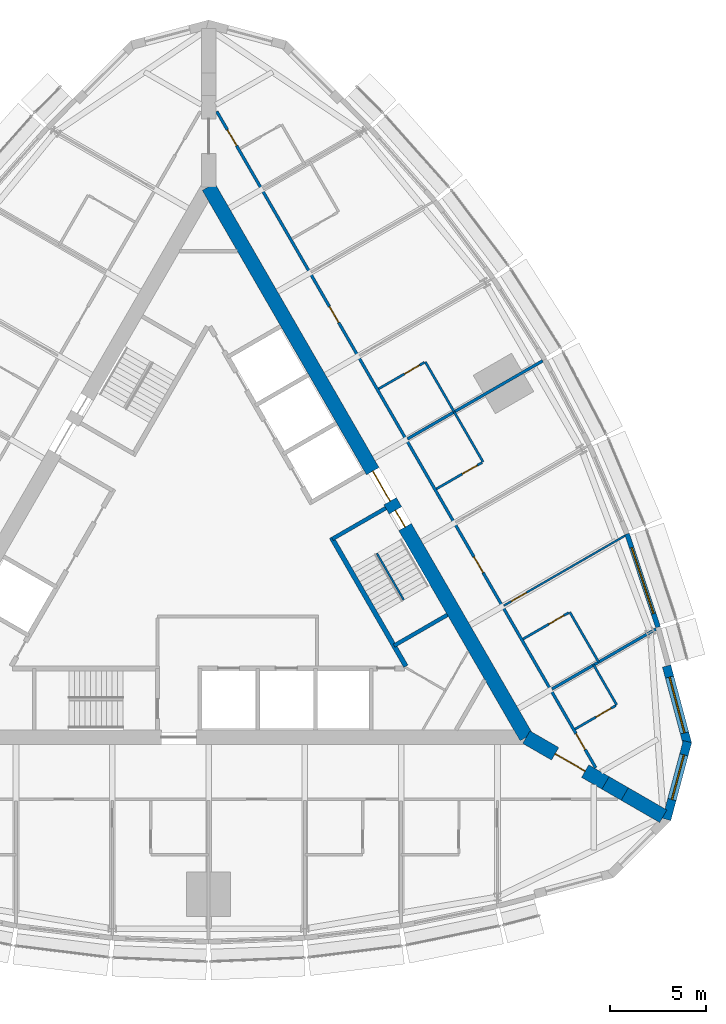
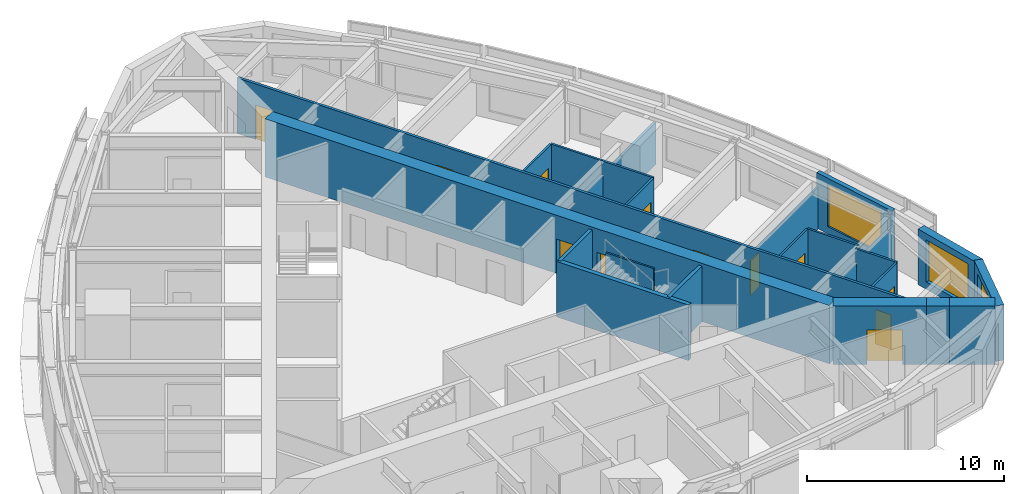
# One storey, part 12 of 15: 23 walls, 12 doors, 3 windows, 15 openings.
"""IFC4 building model written with IfcOpenShell, lengths in metres."""

from ifc_helpers import new_model, si_unit, direction, frame, frame_2d, origin, place, context, subcontext, project, spatial, polyline, rectangle, outline, extrude, material, layer, layer_set, type_object, element, fill, save


model = new_model("IFC4")

# Units and contexts
model_context = context("Model", 3, precision=1e-05, world=origin(), true_north=direction((0.0, 1.0)))
body_context = subcontext(model_context, "Body", "Model", "MODEL_VIEW")
ifc_project = project(units=[si_unit("LENGTHUNIT", "METRE"), si_unit("AREAUNIT", "SQUARE_METRE"), si_unit("VOLUMEUNIT", "CUBIC_METRE"), si_unit("PLANEANGLEUNIT", "RADIAN"), si_unit("MASSUNIT", "GRAM", prefix="KILO")], contexts=[model_context])

# Site, building, storey
site_placement = place(None, origin())
site = spatial("IfcSite", under=ifc_project, at=site_placement, CompositionType="ELEMENT")
building_placement = place(site_placement, origin())
building = spatial("IfcBuilding", under=site, at=building_placement, Name="Trikona Tower", CompositionType="ELEMENT")
storey_placement = place(building_placement, frame((0.0, 0.0, 222.5)))
storey = spatial("IfcBuildingStorey", under=building, at=storey_placement, Name="L59", CompositionType="ELEMENT", Elevation=222.5)

# Wall
ifc_material_1 = material(Name="Metal stud and cement board", Category="gypsum")
ifc_layer_1 = layer(ifc_material_1, 0.1201171875)
ifc_layer_set_1 = layer_set([ifc_layer_1], Name="Bathroom wall 120")
wall_type_1 = type_object("IfcWallType", Name="Bathroom wall 120", PredefinedType="PLUMBINGWALL", material=ifc_layer_set_1)
wall_1_placement = place(storey_placement, frame((21.193603515625, -7.855712890625, 0.0), z_axis=(0.0, 0.0, 1.0), x_axis=(-0.500033551112, 0.866006032174, 0.0)))
element("IfcWall", 1, at=wall_1_placement, inside=storey, type_object=wall_type_1, Name="Bathroom wall 5905", PredefinedType="PLUMBINGWALL", context=body_context, shape_type="SweptSolid", body=[
    extrude(rectangle(XDim=2.400146484375, YDim=0.1201171875, at=frame_2d((1.2001953125, 0.0))), origin(), (0.0, 0.0, 1.0), 3.43505859375),
])

# Wall, opening, door
wall_2_placement = place(storey_placement, frame((19.028564453125, -9.105712890625, 0.0), z_axis=(0.0, 0.0, 1.0), x_axis=(0.866023955769, 0.500002508028, 0.0)))
wall_2 = element("IfcWall", 2, at=wall_2_placement, inside=storey, type_object=wall_type_1, Name="Bathroom wall 5905", PredefinedType="PLUMBINGWALL", context=body_context, shape_type="SweptSolid", body=[
    extrude(rectangle(XDim=2.43994140625, YDim=0.1201171875, at=frame_2d((1.219970703125, 0.0))), origin(), (0.0, 0.0, 1.0), 3.43505859375),
])
opening_1_placement = place(wall_2_placement, frame((1.25, 0.0, 0.0)))
opening_1 = element("IfcOpeningElement", 3, at=opening_1_placement, cuts=wall_2, Name="Opening D2", PredefinedType="OPENING", context=body_context, shape_type="SweptSolid", body=[
    extrude(rectangle(XDim=0.89990234375, YDim=2.1298828125, at=frame_2d((0.449951171875, 1.06494140625))), frame((0.0, 0.070068359375, 0.0), z_axis=(0.0, -1.0, 0.0), x_axis=(1.0, 0.0, 0.0)), (0.0, 0.0, 1.0), 0.14013671875),
])
ifc_material_2 = material(Name="Steel door frame with solid-core timber leaf", Category="steel")
door_type_1 = type_object("IfcDoorType", Name="Bathroom door 900x2130", OperationType="SLIDING_TO_LEFT", PredefinedType="DOOR", material=ifc_material_2)
door_1_placement = place(opening_1_placement, origin())
door_1 = element("IfcDoor", 4, at=door_1_placement, inside=storey, type_object=door_type_1, Name="Bathroom door 5905", OperationType="SLIDING_TO_LEFT", OverallHeight=2.1298828125, OverallWidth=0.89990234375, PredefinedType="DOOR", context=body_context, shape_type="SweptSolid", body=[
    extrude(rectangle(XDim=0.89990234375, YDim=2.1298828125, at=frame_2d((0.449951171875, 1.06494140625))), frame((0.0, 0.02490234375, 0.0), z_axis=(0.0, -1.0, 0.0), x_axis=(1.0, 0.0, 0.0)), (0.0, 0.0, 1.0), 0.050048828125),
])
fill(opening_1, door_1)

# Wall
wall_3_placement = place(storey_placement, frame((20.25341796875, -5.627197265625, 0.0), z_axis=(0.0, 0.0, 1.0), x_axis=(-0.50002537861, 0.866010750942, 0.0)))
element("IfcWall", 5, at=wall_3_placement, inside=storey, type_object=wall_type_1, Name="Bathroom wall 5906.1", PredefinedType="PLUMBINGWALL", context=body_context, shape_type="SweptSolid", body=[
    extrude(rectangle(XDim=2.999755859375, YDim=0.1201171875, at=frame_2d((1.5, 0.0))), origin(), (0.0, 0.0, 1.0), 3.43505859375),
])

# Wall, opening, door
wall_4_placement = place(storey_placement, frame((16.32861328125, -4.42919921875, 0.0), z_axis=(0.0, 0.0, 1.0), x_axis=(0.865997131366, 0.500048966069, 0.0)))
wall_4 = element("IfcWall", 6, at=wall_4_placement, inside=storey, type_object=wall_type_1, Name="Bathroom wall 5906.1", PredefinedType="PLUMBINGWALL", context=body_context, shape_type="SweptSolid", body=[
    extrude(rectangle(XDim=2.739990234375, YDim=0.1201171875, at=frame_2d((1.3701171875, 0.0))), origin(), (0.0, 0.0, 1.0), 3.43505859375),
])
opening_2_placement = place(wall_4_placement, frame((1.550048828125, 0.0, 0.0)))
opening_2 = element("IfcOpeningElement", 7, at=opening_2_placement, cuts=wall_4, Name="Opening D2", PredefinedType="OPENING", context=body_context, shape_type="SweptSolid", body=[
    extrude(rectangle(XDim=0.89990234375, YDim=2.1298828125, at=frame_2d((0.449951171875, 1.06494140625))), frame((0.0, 0.070068359375, 0.0), z_axis=(0.0, -1.0, 0.0), x_axis=(1.0, 0.0, 0.0)), (0.0, 0.0, 1.0), 0.14013671875),
])
door_2_placement = place(opening_2_placement, origin())
door_2 = element("IfcDoor", 8, at=door_2_placement, inside=storey, type_object=door_type_1, Name="Bathroom door 5906.1", OperationType="SLIDING_TO_LEFT", OverallHeight=2.1298828125, OverallWidth=0.89990234375, PredefinedType="DOOR", context=body_context, shape_type="SweptSolid", body=[
    extrude(rectangle(XDim=0.89990234375, YDim=2.1298828125, at=frame_2d((0.449951171875, 1.06494140625))), frame((0.0, 0.02490234375, 0.0), z_axis=(0.0, -1.0, 0.0), x_axis=(1.0, 0.0, 0.0)), (0.0, 0.0, 1.0), 0.050048828125),
])
fill(opening_2, door_2)

# Wall
wall_5_placement = place(storey_placement, frame((14.25341796875, 4.76513671875, 0.0), z_axis=(0.0, 0.0, 1.0), x_axis=(-0.50002537861, 0.866010750942, 0.0)))
element("IfcWall", 9, at=wall_5_placement, inside=storey, type_object=wall_type_1, Name="Bathroom wall 5906.2", PredefinedType="PLUMBINGWALL", context=body_context, shape_type="SweptSolid", body=[
    extrude(rectangle(XDim=2.999755859375, YDim=0.1201171875, at=frame_2d((1.5, 0.0))), origin(), (0.0, 0.0, 1.0), 3.43505859375),
])

# Wall, opening, door
wall_6_placement = place(storey_placement, frame((11.82861328125, 3.364990234375, 0.0), z_axis=(0.0, 0.0, 1.0), x_axis=(0.865997131366, 0.500048966069, 0.0)))
wall_6 = element("IfcWall", 10, at=wall_6_placement, inside=storey, type_object=wall_type_1, Name="Bathroom wall 5906.2", PredefinedType="PLUMBINGWALL", context=body_context, shape_type="SweptSolid", body=[
    extrude(rectangle(XDim=2.739990234375, YDim=0.1201171875, at=frame_2d((1.3701171875, 0.0))), origin(), (0.0, 0.0, 1.0), 3.43505859375),
])
opening_3_placement = place(wall_6_placement, frame((1.550048828125, 0.0, 0.0)))
opening_3 = element("IfcOpeningElement", 11, at=opening_3_placement, cuts=wall_6, Name="Opening D2", PredefinedType="OPENING", context=body_context, shape_type="SweptSolid", body=[
    extrude(rectangle(XDim=0.89990234375, YDim=2.1298828125, at=frame_2d((0.449951171875, 1.06494140625))), frame((0.0, 0.070068359375, 0.0), z_axis=(0.0, -1.0, 0.0), x_axis=(1.0, 0.0, 0.0)), (0.0, 0.0, 1.0), 0.14013671875),
])
door_3_placement = place(opening_3_placement, origin())
door_3 = element("IfcDoor", 12, at=door_3_placement, inside=storey, type_object=door_type_1, Name="Bathroom door 5906.2", OperationType="SLIDING_TO_LEFT", OverallHeight=2.1298828125, OverallWidth=0.89990234375, PredefinedType="DOOR", context=body_context, shape_type="SweptSolid", body=[
    extrude(rectangle(XDim=0.89990234375, YDim=2.1298828125, at=frame_2d((0.449951171875, 1.06494140625))), frame((0.0, 0.02490234375, 0.0), z_axis=(0.0, -1.0, 0.0), x_axis=(1.0, 0.0, 0.0)), (0.0, 0.0, 1.0), 0.050048828125),
])
fill(opening_3, door_3)

# Wall
wall_7_placement = place(storey_placement, frame((12.75341796875, 7.363037109375, 0.0), z_axis=(0.0, 0.0, 1.0), x_axis=(-0.499990139034, 0.866031096941, 0.0)))
element("IfcWall", 13, at=wall_7_placement, inside=storey, type_object=wall_type_1, Name="Bathroom wall 5907.1", PredefinedType="PLUMBINGWALL", context=body_context, shape_type="SweptSolid", body=[
    extrude(rectangle(XDim=3.0, YDim=0.1201171875, at=frame_2d((1.5, 0.0))), origin(), (0.0, 0.0, 1.0), 3.43505859375),
])

# Wall, opening, door
wall_8_placement = place(storey_placement, frame((8.82861328125, 8.561279296875, 0.0), z_axis=(0.0, 0.0, 1.0), x_axis=(0.866035715982, 0.499982138324, 0.0)))
wall_8 = element("IfcWall", 14, at=wall_8_placement, inside=storey, type_object=wall_type_1, Name="Bathroom wall 5907.1", PredefinedType="PLUMBINGWALL", context=body_context, shape_type="SweptSolid", body=[
    extrude(rectangle(XDim=2.73974609375, YDim=0.1201171875, at=frame_2d((1.369873046875, 0.0))), origin(), (0.0, 0.0, 1.0), 3.43505859375),
])
opening_4_placement = place(wall_8_placement, frame((1.550048828125, 0.0, 0.0)))
opening_4 = element("IfcOpeningElement", 15, at=opening_4_placement, cuts=wall_8, Name="Opening D2", PredefinedType="OPENING", context=body_context, shape_type="SweptSolid", body=[
    extrude(rectangle(XDim=0.89990234375, YDim=2.1298828125, at=frame_2d((0.449951171875, 1.06494140625))), frame((0.0, 0.070068359375, 0.0), z_axis=(0.0, -1.0, 0.0), x_axis=(1.0, 0.0, 0.0)), (0.0, 0.0, 1.0), 0.14013671875),
])
door_4_placement = place(opening_4_placement, origin())
door_4 = element("IfcDoor", 16, at=door_4_placement, inside=storey, type_object=door_type_1, Name="Bathroom door 5907.1", OperationType="SLIDING_TO_LEFT", OverallHeight=2.1298828125, OverallWidth=0.89990234375, PredefinedType="DOOR", context=body_context, shape_type="SweptSolid", body=[
    extrude(rectangle(XDim=0.89990234375, YDim=2.1298828125, at=frame_2d((0.449951171875, 1.06494140625))), frame((0.0, 0.02490234375, 0.0), z_axis=(0.0, -1.0, 0.0), x_axis=(1.0, 0.0, 0.0)), (0.0, 0.0, 1.0), 0.050048828125),
])
fill(opening_4, door_4)

# Wall, opening, window
ifc_material_3 = material(Name="Brick-faced precast concrete", Category="masonry")
ifc_layer_2 = layer(ifc_material_3, 0.449951171875)
ifc_layer_set_2 = layer_set([ifc_layer_2], Name="Brick-faced corner wall 450")
wall_type_2 = type_object("IfcWallType", Name="Brick-faced corner wall 450", PredefinedType="SOLIDWALL", material=ifc_layer_set_2)
wall_9_placement = place(storey_placement, frame((23.78271484375, -13.798095703125, 0.0), z_axis=(0.0, 0.0, 1.0), x_axis=(0.258799282522, 0.96593112144, 0.0)))
wall_9 = element("IfcWall", 17, at=wall_9_placement, inside=storey, type_object=wall_type_2, Name="External wall L59-10", PredefinedType="SOLIDWALL", context=body_context, shape_type="SweptSolid", body=[
    extrude(outline(polyline([(4.183837890625, 0.22509765625), (0.5087890625, 0.22509765625), (0.478759765625, 0.112548828125), (0.059326171875, 0.22509765625), (0.0, 0.22509765625), (0.0, -0.22509765625), (4.183837890625, -0.22509765625), (4.183837890625, 0.22509765625)])), origin(), (0.0, 0.0, 1.0), 3.43505859375),
])
opening_5_placement = place(wall_9_placement, frame((1.0712890625, 0.0, 0.449951171875)))
opening_5 = element("IfcOpeningElement", 18, at=opening_5_placement, cuts=wall_9, Name="Opening W2426", PredefinedType="OPENING", context=body_context, shape_type="SweptSolid", body=[
    extrude(rectangle(XDim=2.39990234375, YDim=2.60009765625, at=frame_2d((1.199951171875, 1.300048828125))), frame((0.0, 0.23486328125, 0.0), z_axis=(0.0, -1.0, 0.0), x_axis=(1.0, 0.0, 0.0)), (0.0, 0.0, 1.0), 0.469970703125),
])
ifc_material_4 = material(Name="Aluminium-framed double glazing", Category="aluminium")
window_type_1 = type_object("IfcWindowType", Name="Window 2400x2600", PartitioningType="SINGLE_PANEL", PredefinedType="WINDOW", material=ifc_material_4)
window_1_placement = place(opening_5_placement, origin())
window_1 = element("IfcWindow", 19, at=window_1_placement, inside=storey, type_object=window_type_1, Name="Window 5905", OverallHeight=2.60009765625, OverallWidth=2.39990234375, PartitioningType="SINGLE_PANEL", PredefinedType="WINDOW", context=body_context, shape_type="SweptSolid", body=[
    extrude(rectangle(XDim=2.39990234375, YDim=2.60009765625, at=frame_2d((1.199951171875, 1.300048828125))), frame((0.0, 0.030029296875, 0.0), z_axis=(0.0, -1.0, 0.0), x_axis=(1.0, 0.0, 0.0)), (0.0, 0.0, 1.0), 0.06005859375),
])
fill(opening_5, window_1)

wall_10_placement = place(storey_placement, frame((24.865478515625, -9.873291015625, 0.0), z_axis=(0.0, 0.0, 1.0), x_axis=(-0.258784695888, 0.965935029479, 0.0)))
wall_10 = element("IfcWall", 20, at=wall_10_placement, inside=storey, type_object=wall_type_2, Name="External wall L59-11", PredefinedType="SOLIDWALL", context=body_context, shape_type="SweptSolid", body=[
    extrude(rectangle(XDim=4.18408203125, YDim=0.449951171875, at=frame_2d((2.092041015625, 0.0))), origin(), (0.0, 0.0, 1.0), 3.43505859375),
])
opening_6_placement = place(wall_10_placement, frame((0.592041015625, 0.0, 0.449951171875)))
opening_6 = element("IfcOpeningElement", 21, at=opening_6_placement, cuts=wall_10, Name="Opening W3026", PredefinedType="OPENING", context=body_context, shape_type="SweptSolid", body=[
    extrude(rectangle(XDim=3.0, YDim=2.60009765625, at=frame_2d((1.5, 1.300048828125))), frame((0.0, 0.23486328125, 0.0), z_axis=(0.0, -1.0, 0.0), x_axis=(1.0, 0.0, 0.0)), (0.0, 0.0, 1.0), 0.469970703125),
])
ifc_material_5 = material(Name="Aluminium-framed double glazing", Category="aluminium")
window_type_2 = type_object("IfcWindowType", Name="Window 3000x2600", PartitioningType="SINGLE_PANEL", PredefinedType="WINDOW", material=ifc_material_5)
window_2_placement = place(opening_6_placement, origin())
window_2 = element("IfcWindow", 22, at=window_2_placement, inside=storey, type_object=window_type_2, Name="Window 5905", OverallHeight=2.60009765625, OverallWidth=3.0, PartitioningType="SINGLE_PANEL", PredefinedType="WINDOW", context=body_context, shape_type="SweptSolid", body=[
    extrude(rectangle(XDim=3.0, YDim=2.60009765625, at=frame_2d((1.5, 1.300048828125))), frame((0.0, 0.030029296875, 0.0), z_axis=(0.0, -1.0, 0.0), x_axis=(1.0, 0.0, 0.0)), (0.0, 0.0, 1.0), 0.06005859375),
])
fill(opening_6, window_2)

# Wall, opening, door
ifc_material_6 = material(Name="Concrete f'c 10000 psi", Category="concrete")
ifc_layer_3 = layer(ifc_material_6, 0.75)
ifc_layer_set_3 = layer_set([ifc_layer_3], Name="Buttress wall 750")
wall_type_3 = type_object("IfcWallType", Name="Buttress wall 750", PredefinedType="SHEAR", material=ifc_layer_set_3)
wall_11_placement = place(storey_placement, frame((16.5, -9.5263671875, 0.0), z_axis=(0.0, 0.0, 1.0), x_axis=(0.866031398331, -0.499989616998, 0.0)))
wall_11 = element("IfcWall", 23, at=wall_11_placement, inside=storey, type_object=wall_type_3, Name="Buttress wall 1", PredefinedType="SHEAR", context=body_context, shape_type="SweptSolid", body=[
    extrude(rectangle(XDim=4.74609375, YDim=0.75, at=frame_2d((2.373046875, 0.0))), origin(), (0.0, 0.0, 1.0), 3.60009765625),
])
opening_7_placement = place(wall_11_placement, frame((1.72509765625, 0.0, 0.0)))
opening_7 = element("IfcOpeningElement", 24, at=opening_7_placement, cuts=wall_11, Name="Opening D10", PredefinedType="OPENING", context=body_context, shape_type="SweptSolid", body=[
    extrude(rectangle(XDim=1.800048828125, YDim=2.1298828125, at=frame_2d((0.89990234375, 1.06494140625))), frame((0.0, 0.385009765625, 0.0), z_axis=(0.0, -1.0, 0.0), x_axis=(1.0, 0.0, 0.0)), (0.0, 0.0, 1.0), 0.77001953125),
])
ifc_material_7 = material(Name="Hollow metal door and frame", Category="steel")
door_type_2 = type_object("IfcDoorType", Name="Cross-corridor door pair 1800x2130", OperationType="DOUBLE_DOOR_DOUBLE_SWING", PredefinedType="DOOR", material=ifc_material_7)
door_5_placement = place(opening_7_placement, origin())
door_5 = element("IfcDoor", 25, at=door_5_placement, inside=storey, type_object=door_type_2, Name="Cross-corridor door 1", OperationType="DOUBLE_DOOR_DOUBLE_SWING", OverallHeight=2.1298828125, OverallWidth=1.800048828125, PredefinedType="DOOR", context=body_context, shape_type="SweptSolid", body=[
    extrude(rectangle(XDim=1.800048828125, YDim=2.1298828125, at=frame_2d((0.89990234375, 1.06494140625))), frame((0.0, 0.02490234375, 0.0), z_axis=(0.0, -1.0, 0.0), x_axis=(1.0, 0.0, 0.0)), (0.0, 0.0, 1.0), 0.050048828125),
])
fill(opening_7, door_5)

# Walls
wall_12_placement = place(storey_placement, frame((20.6103515625, -11.8994140625, 0.0), z_axis=(0.0, 0.0, 1.0), x_axis=(0.866009537788, -0.500027479704, 0.0)))
element("IfcWall", 26, at=wall_12_placement, inside=storey, type_object=wall_type_3, Name="Buttress wall 1 part 2", PredefinedType="SHEAR", context=body_context, shape_type="SweptSolid", body=[
    extrude(rectangle(XDim=1.15478515625, YDim=0.75, at=frame_2d((0.577392578125, 0.0))), origin(), (0.0, 0.0, 1.0), 3.60009765625),
])
wall_13_placement = place(storey_placement, frame((21.6103515625, -12.476806640625, 0.0), z_axis=(0.0, 0.0, 1.0), x_axis=(0.866055313784, -0.499948190782, 0.0)))
element("IfcWall", 27, at=wall_13_placement, inside=storey, type_object=wall_type_3, Name="Buttress wall 1 part 3", PredefinedType="SHEAR", context=body_context, shape_type="SweptSolid", body=[
    extrude(rectangle(XDim=2.309326171875, YDim=0.75, at=frame_2d((1.15478515625, 0.0))), origin(), (0.0, 0.0, 1.0), 3.60009765625),
])

# Wall, openings, doors
ifc_material_8 = material(Name="Concrete f'c 10000 psi", Category="concrete")
ifc_layer_4 = layer(ifc_material_8, 0.75)
ifc_layer_set_4 = layer_set([ifc_layer_4], Name="Core wall 750")
wall_type_4 = type_object("IfcWallType", Name="Core wall 750", PredefinedType="SHEAR", material=ifc_layer_set_4)
wall_14_placement = place(storey_placement, frame((16.5, -9.5263671875, 0.0), z_axis=(0.0, 0.0, 1.0), x_axis=(-0.499999749417, 0.866025548458, 0.0)))
wall_14 = element("IfcWall", 28, at=wall_14_placement, inside=storey, type_object=wall_type_4, Name="Core wall B", PredefinedType="SHEAR", context=body_context, shape_type="SweptSolid", body=[
    extrude(rectangle(XDim=33.0, YDim=0.75, at=frame_2d((16.5, 0.0))), origin(), (0.0, 0.0, 1.0), 3.60009765625),
])
opening_8_placement = place(wall_14_placement, frame((14.14990234375, 0.0, 0.0)))
opening_8 = element("IfcOpeningElement", 29, at=opening_8_placement, cuts=wall_14, Name="Opening D6", PredefinedType="OPENING", context=body_context, shape_type="SweptSolid", body=[
    extrude(rectangle(XDim=1.800048828125, YDim=2.1298828125, at=frame_2d((0.89990234375, 1.06494140625))), frame((0.0, 0.385009765625, 0.0), z_axis=(0.0, -1.0, 0.0), x_axis=(1.0, 0.0, 0.0)), (0.0, 0.0, 1.0), 0.77001953125),
])
opening_9_placement = place(wall_14_placement, frame((12.60009765625, 0.0, 0.0)))
opening_9 = element("IfcOpeningElement", 30, at=opening_9_placement, cuts=wall_14, Name="Opening D5", PredefinedType="OPENING", context=body_context, shape_type="SweptSolid", body=[
    extrude(rectangle(XDim=1.0, YDim=2.1298828125, at=frame_2d((0.5, 1.06494140625))), frame((0.0, 0.385009765625, 0.0), z_axis=(0.0, -1.0, 0.0), x_axis=(1.0, 0.0, 0.0)), (0.0, 0.0, 1.0), 0.77001953125),
])
ifc_material_9 = material(Name="Hollow metal door and frame", Category="steel")
door_type_3 = type_object("IfcDoorType", Name="Lobby door pair 1800x2130", OperationType="DOUBLE_DOOR_SINGLE_SWING", PredefinedType="DOOR", material=ifc_material_9)
door_6_placement = place(opening_8_placement, origin())
door_6 = element("IfcDoor", 31, at=door_6_placement, inside=storey, type_object=door_type_3, Name="Lift lobby door B", OperationType="DOUBLE_DOOR_SINGLE_SWING", OverallHeight=2.1298828125, OverallWidth=1.800048828125, PredefinedType="DOOR", context=body_context, shape_type="SweptSolid", body=[
    extrude(rectangle(XDim=1.800048828125, YDim=2.1298828125, at=frame_2d((0.89990234375, 1.06494140625))), frame((0.0, 0.02490234375, 0.0), z_axis=(0.0, -1.0, 0.0), x_axis=(1.0, 0.0, 0.0)), (0.0, 0.0, 1.0), 0.050048828125),
])
fill(opening_8, door_6)
ifc_material_10 = material(Name="Hollow metal door and frame", Category="steel")
door_type_4 = type_object("IfcDoorType", Name="Stair door 1000x2130", OperationType="SINGLE_SWING_LEFT", PredefinedType="DOOR", material=ifc_material_10)
door_7_placement = place(opening_9_placement, origin())
door_7 = element("IfcDoor", 32, at=door_7_placement, inside=storey, type_object=door_type_4, Name="Stair B door", OperationType="SINGLE_SWING_RIGHT", OverallHeight=2.1298828125, OverallWidth=1.0, PredefinedType="DOOR", context=body_context, shape_type="SweptSolid", body=[
    extrude(rectangle(XDim=1.0, YDim=2.1298828125, at=frame_2d((0.5, 1.06494140625))), frame((0.0, 0.02490234375, 0.0), z_axis=(0.0, -1.0, 0.0), x_axis=(1.0, 0.0, 0.0)), (0.0, 0.0, 1.0), 0.050048828125),
])
fill(opening_9, door_7)

ifc_material_11 = material(Name="Metal stud and gypsum board, 1-hour", Category="gypsum")
ifc_layer_5 = layer(ifc_material_11, 0.14990234375)
ifc_layer_set_5 = layer_set([ifc_layer_5], Name="Corridor wall 150")
wall_type_5 = type_object("IfcWallType", Name="Corridor wall 150", PredefinedType="PARTITIONING", material=ifc_layer_set_5)
wall_15_placement = place(storey_placement, frame((20.10205078125, -11.115234375, 0.0), z_axis=(0.0, 0.0, 1.0), x_axis=(-0.500000265775, 0.866025250339, 0.0)))
wall_15 = element("IfcWall", 33, at=wall_15_placement, inside=storey, type_object=wall_type_5, Name="Corridor wall L59-2", PredefinedType="PARTITIONING", context=body_context, shape_type="SweptSolid", body=[
    extrude(rectangle(XDim=39.35400390625, YDim=0.14990234375, at=frame_2d((19.677001953125, 0.0))), origin(), (0.0, 0.0, 1.0), 3.43505859375),
])
opening_10_placement = place(wall_15_placement, frame((1.10205078125, 0.0, 0.0)))
opening_10 = element("IfcOpeningElement", 34, at=opening_10_placement, cuts=wall_15, Name="Opening D1", PredefinedType="OPENING", context=body_context, shape_type="SweptSolid", body=[
    extrude(rectangle(XDim=0.949951171875, YDim=2.1298828125, at=frame_2d((0.47509765625, 1.06494140625))), frame((0.0, 0.0849609375, 0.0), z_axis=(0.0, -1.0, 0.0), x_axis=(1.0, 0.0, 0.0)), (0.0, 0.0, 1.0), 0.169921875),
])
opening_11_placement = place(wall_15_placement, frame((11.701904296875, 0.0, 0.0)))
opening_11 = element("IfcOpeningElement", 35, at=opening_11_placement, cuts=wall_15, Name="Opening D1", PredefinedType="OPENING", context=body_context, shape_type="SweptSolid", body=[
    extrude(rectangle(XDim=0.949951171875, YDim=2.1298828125, at=frame_2d((0.47509765625, 1.06494140625))), frame((0.0, 0.0849609375, 0.0), z_axis=(0.0, -1.0, 0.0), x_axis=(1.0, 0.0, 0.0)), (0.0, 0.0, 1.0), 0.169921875),
])
opening_12_placement = place(wall_15_placement, frame((26.701904296875, 0.0, 0.0)))
opening_12 = element("IfcOpeningElement", 36, at=opening_12_placement, cuts=wall_15, Name="Opening D1", PredefinedType="OPENING", context=body_context, shape_type="SweptSolid", body=[
    extrude(rectangle(XDim=0.949951171875, YDim=2.1298828125, at=frame_2d((0.47509765625, 1.06494140625))), frame((0.0, 0.0849609375, 0.0), z_axis=(0.0, -1.0, 0.0), x_axis=(1.0, 0.0, 0.0)), (0.0, 0.0, 1.0), 0.169921875),
])
opening_13_placement = place(wall_15_placement, frame((37.302001953125, 0.0, 0.0)))
opening_13 = element("IfcOpeningElement", 37, at=opening_13_placement, cuts=wall_15, Name="Opening D1", PredefinedType="OPENING", context=body_context, shape_type="SweptSolid", body=[
    extrude(rectangle(XDim=0.949951171875, YDim=2.1298828125, at=frame_2d((0.47509765625, 1.06494140625))), frame((0.0, 0.0849609375, 0.0), z_axis=(0.0, -1.0, 0.0), x_axis=(1.0, 0.0, 0.0)), (0.0, 0.0, 1.0), 0.169921875),
])
ifc_material_12 = material(Name="Steel door frame with solid-core timber leaf", Category="steel")
door_type_5 = type_object("IfcDoorType", Name="Guest room door 950x2130", OperationType="SINGLE_SWING_LEFT", PredefinedType="DOOR", material=ifc_material_12)
door_8_placement = place(opening_10_placement, origin())
door_8 = element("IfcDoor", 38, at=door_8_placement, inside=storey, type_object=door_type_5, Name="Room door 5905", OperationType="SINGLE_SWING_LEFT", OverallHeight=2.1298828125, OverallWidth=0.949951171875, PredefinedType="DOOR", context=body_context, shape_type="SweptSolid", body=[
    extrude(rectangle(XDim=0.949951171875, YDim=2.1298828125, at=frame_2d((0.47509765625, 1.06494140625))), frame((0.0, 0.02490234375, 0.0), z_axis=(0.0, -1.0, 0.0), x_axis=(1.0, 0.0, 0.0)), (0.0, 0.0, 1.0), 0.050048828125),
])
fill(opening_10, door_8)
door_9_placement = place(opening_11_placement, origin())
door_9 = element("IfcDoor", 39, at=door_9_placement, inside=storey, type_object=door_type_5, Name="Room door 5906", OperationType="SINGLE_SWING_RIGHT", OverallHeight=2.1298828125, OverallWidth=0.949951171875, PredefinedType="DOOR", context=body_context, shape_type="SweptSolid", body=[
    extrude(rectangle(XDim=0.949951171875, YDim=2.1298828125, at=frame_2d((0.47509765625, 1.06494140625))), frame((0.0, 0.02490234375, 0.0), z_axis=(0.0, -1.0, 0.0), x_axis=(1.0, 0.0, 0.0)), (0.0, 0.0, 1.0), 0.050048828125),
])
fill(opening_11, door_9)
door_10_placement = place(opening_12_placement, origin())
door_10 = element("IfcDoor", 40, at=door_10_placement, inside=storey, type_object=door_type_5, Name="Room door 5907", OperationType="SINGLE_SWING_LEFT", OverallHeight=2.1298828125, OverallWidth=0.949951171875, PredefinedType="DOOR", context=body_context, shape_type="SweptSolid", body=[
    extrude(rectangle(XDim=0.949951171875, YDim=2.1298828125, at=frame_2d((0.47509765625, 1.06494140625))), frame((0.0, 0.02490234375, 0.0), z_axis=(0.0, -1.0, 0.0), x_axis=(1.0, 0.0, 0.0)), (0.0, 0.0, 1.0), 0.050048828125),
])
fill(opening_12, door_10)
door_11_placement = place(opening_13_placement, origin())
door_11 = element("IfcDoor", 41, at=door_11_placement, inside=storey, type_object=door_type_5, Name="Room door 5908", OperationType="SINGLE_SWING_RIGHT", OverallHeight=2.1298828125, OverallWidth=0.949951171875, PredefinedType="DOOR", context=body_context, shape_type="SweptSolid", body=[
    extrude(rectangle(XDim=0.949951171875, YDim=2.1298828125, at=frame_2d((0.47509765625, 1.06494140625))), frame((0.0, 0.02490234375, 0.0), z_axis=(0.0, -1.0, 0.0), x_axis=(1.0, 0.0, 0.0)), (0.0, 0.0, 1.0), 0.050048828125),
])
fill(opening_13, door_11)

# Wall
ifc_material_13 = material(Name="Concrete f'c 8000 psi", Category="concrete")
ifc_layer_6 = layer(ifc_material_13, 0.25)
ifc_layer_set_6 = layer_set([ifc_layer_6], Name="Hub wall 250")
wall_type_6 = type_object("IfcWallType", Name="Hub wall 250", PredefinedType="SOLIDWALL", material=ifc_layer_set_6)
wall_16_placement = place(storey_placement, frame((10.245361328125, -5.843017578125, 0.0), z_axis=(0.0, 0.0, 1.0), x_axis=(-0.499993009313, 0.866029439822, 0.0)))
element("IfcWall", 42, at=wall_16_placement, inside=storey, type_object=wall_type_6, Name="Lift lobby wall B1", PredefinedType="SOLIDWALL", context=body_context, shape_type="SweptSolid", body=[
    extrude(rectangle(XDim=7.73291015625, YDim=0.25, at=frame_2d((3.866455078125, 0.0))), origin(), (0.0, 0.0, 1.0), 3.43505859375),
])

# Wall, opening, window
ifc_material_14 = material(Name="Insulated precast concrete spandrel panel", Category="concrete")
ifc_layer_7 = layer(ifc_material_14, 0.25)
ifc_layer_set_7 = layer_set([ifc_layer_7], Name="Inner skin wall 250")
wall_type_7 = type_object("IfcWallType", Name="Inner skin wall 250", PredefinedType="STANDARD", material=ifc_layer_set_7)
wall_17_placement = place(storey_placement, frame((23.337890625, -3.8173828125, 0.0), z_axis=(0.0, 0.0, 1.0), x_axis=(-0.315108478109, 0.949055660656, 0.0)))
wall_17 = element("IfcWall", 43, at=wall_17_placement, inside=storey, type_object=wall_type_7, Name="External wall L59-13", PredefinedType="STANDARD", context=body_context, shape_type="SweptSolid", body=[
    extrude(rectangle(XDim=5.10498046875, YDim=0.25, at=frame_2d((2.552490234375, 0.0))), origin(), (0.0, 0.0, 1.0), 3.43505859375),
])
opening_14_placement = place(wall_17_placement, frame((0.75244140625, 0.0, 0.449951171875)))
opening_14 = element("IfcOpeningElement", 44, at=opening_14_placement, cuts=wall_17, Name="Opening W3626", PredefinedType="OPENING", context=body_context, shape_type="SweptSolid", body=[
    extrude(rectangle(XDim=3.60009765625, YDim=2.60009765625, at=frame_2d((1.800048828125, 1.300048828125))), frame((0.0, 0.135009765625, 0.0), z_axis=(0.0, -1.0, 0.0), x_axis=(1.0, 0.0, 0.0)), (0.0, 0.0, 1.0), 0.27001953125),
])
ifc_material_15 = material(Name="Aluminium-framed double glazing", Category="aluminium")
window_type_3 = type_object("IfcWindowType", Name="Window 3600x2600", PartitioningType="SINGLE_PANEL", PredefinedType="WINDOW", material=ifc_material_15)
window_3_placement = place(opening_14_placement, origin())
window_3 = element("IfcWindow", 45, at=window_3_placement, inside=storey, type_object=window_type_3, Name="Window 5906.1", OverallHeight=2.60009765625, OverallWidth=3.60009765625, PartitioningType="SINGLE_PANEL", PredefinedType="WINDOW", context=body_context, shape_type="SweptSolid", body=[
    extrude(rectangle(XDim=3.60009765625, YDim=2.60009765625, at=frame_2d((1.800048828125, 1.300048828125))), frame((0.0, 0.030029296875, 0.0), z_axis=(0.0, -1.0, 0.0), x_axis=(1.0, 0.0, 0.0)), (0.0, 0.0, 1.0), 0.06005859375),
])
fill(opening_14, window_3)

# Walls
ifc_material_16 = material(Name="Metal stud and gypsum board, 1-hour acoustic", Category="gypsum")
ifc_layer_8 = layer(ifc_material_16, 0.14990234375)
ifc_layer_set_8 = layer_set([ifc_layer_8], Name="Party wall 150")
wall_type_8 = type_object("IfcWallType", Name="Party wall 150", PredefinedType="PARTITIONING", material=ifc_layer_set_8)
wall_18_placement = place(storey_placement, frame((17.82861328125, -7.027099609375, 0.0), z_axis=(0.0, 0.0, 1.0), x_axis=(0.866026604282, 0.499997920671, 0.0)))
element("IfcWall", 46, at=wall_18_placement, inside=storey, type_object=wall_type_8, Name="Partition L59 F2 u-15", PredefinedType="PARTITIONING", context=body_context, shape_type="SweptSolid", body=[
    extrude(rectangle(XDim=6.23974609375, YDim=0.14990234375, at=frame_2d((3.119873046875, 0.0))), origin(), (0.0, 0.0, 1.0), 2.589111328125),
])
wall_19_placement = place(storey_placement, frame((10.32861328125, 5.963134765625, 0.0), z_axis=(0.0, 0.0, 1.0), x_axis=(0.866016460812, 0.500015489362, 0.0)))
element("IfcWall", 47, at=wall_19_placement, inside=storey, type_object=wall_type_8, Name="Partition L59 F2 u-2.10942e-15", PredefinedType="PARTITIONING", context=body_context, shape_type="SweptSolid", body=[
    extrude(rectangle(XDim=8.101318359375, YDim=0.14990234375, at=frame_2d((4.05078125, 0.0))), origin(), (0.0, 0.0, 1.0), 2.589111328125),
])
ifc_material_17 = material(Name="Concrete f'c 8000 psi", Category="concrete")
ifc_layer_9 = layer(ifc_material_17, 0.199951171875)
ifc_layer_set_9 = layer_set([ifc_layer_9], Name="Shaft wall 200 load-bearing")
wall_type_9 = type_object("IfcWallType", Name="Shaft wall 200 load-bearing", PredefinedType="SOLIDWALL", material=ifc_layer_set_9)
for number, where, z_axis, x_axis, name in (
    (48, (9.62890625, -4.775390625, 0.0), (0.0, 0.0, 1.0), (0.866008981251, 0.500028443584, 0.0), "Shaft wall B1"),
    (49, (6.428955078125, 0.767333984375, 0.0), (0.0, 0.0, 1.0), (0.866042017984, 0.499971222258, 0.0), "Shaft wall B2"),
):
    element("IfcWall", number, at=place(storey_placement, frame(where, z_axis=z_axis, x_axis=x_axis)), inside=storey, type_object=wall_type_9, Name=name, PredefinedType="SOLIDWALL", context=body_context, shape_type="SweptSolid", body=[
        extrude(rectangle(XDim=3.199951171875, YDim=0.199951171875, at=frame_2d((1.60009765625, 0.0))), origin(), (0.0, 0.0, 1.0), 3.43505859375),
    ])
ifc_material_18 = material(Name="Concrete f'c 5000 psi", Category="concrete")
ifc_layer_10 = layer(ifc_material_18, 0.10009765625)
ifc_layer_set_10 = layer_set([ifc_layer_10], Name="Stair spine wall 100")
wall_type_10 = type_object("IfcWallType", Name="Stair spine wall 100", PredefinedType="SOLIDWALL", material=ifc_layer_set_10)
wall_20_placement = place(storey_placement, frame((10.134765625, -2.4013671875, 0.0), z_axis=(0.0, 0.0, 1.0), x_axis=(-0.499992232847, 0.866029888106, 0.0)))
element("IfcWall", 50, at=wall_20_placement, inside=storey, type_object=wall_type_10, Name="Stair B spine wall L59", PredefinedType="SOLIDWALL", context=body_context, shape_type="SweptSolid", body=[
    extrude(rectangle(XDim=2.7939453125, YDim=0.10009765625, at=frame_2d((1.39697265625, 0.0))), origin(), (0.0, 0.0, 1.0), 3.60009765625),
])

# Wall, opening, door
ifc_material_19 = material(Name="Metal stud and gypsum board, acoustic", Category="gypsum")
ifc_layer_11 = layer(ifc_material_19, 0.10009765625)
ifc_layer_set_11 = layer_set([ifc_layer_11], Name="Suite partition 100")
wall_type_11 = type_object("IfcWallType", Name="Suite partition 100", PredefinedType="PARTITIONING", material=ifc_layer_set_11)
wall_21_placement = place(storey_placement, frame((15.32861328125, -2.697021484375, 0.0), z_axis=(0.0, 0.0, 1.0), x_axis=(0.866032413668, 0.499987858329, 0.0)))
wall_21 = element("IfcWall", 51, at=wall_21_placement, inside=storey, type_object=wall_type_11, Name="Suite partition L59 F2 u-10", PredefinedType="PARTITIONING", context=body_context, shape_type="SweptSolid", body=[
    extrude(rectangle(XDim=7.272705078125, YDim=0.10009765625, at=frame_2d((3.63623046875, 0.0))), origin(), (0.0, 0.0, 1.0), 2.589111328125),
])
opening_15_placement = place(wall_21_placement, frame((0.449951171875, 0.0, 0.0)))
opening_15 = element("IfcOpeningElement", 52, at=opening_15_placement, cuts=wall_21, Name="Opening D13", PredefinedType="OPENING", context=body_context, shape_type="SweptSolid", body=[
    extrude(rectangle(XDim=0.89990234375, YDim=2.1298828125, at=frame_2d((0.449951171875, 1.06494140625))), frame((0.0, 0.06005859375, 0.0), z_axis=(0.0, -1.0, 0.0), x_axis=(1.0, 0.0, 0.0)), (0.0, 0.0, 1.0), 0.1201171875),
])
ifc_material_20 = material(Name="Steel door frame with solid-core timber leaf", Category="steel")
door_type_6 = type_object("IfcDoorType", Name="Suite door 900x2130", OperationType="SINGLE_SWING_LEFT", PredefinedType="DOOR", material=ifc_material_20)
door_12_placement = place(opening_15_placement, origin())
door_12 = element("IfcDoor", 53, at=door_12_placement, inside=storey, type_object=door_type_6, Name="Suite door 5906", OperationType="SINGLE_SWING_LEFT", OverallHeight=2.1298828125, OverallWidth=0.89990234375, PredefinedType="DOOR", context=body_context, shape_type="SweptSolid", body=[
    extrude(rectangle(XDim=0.89990234375, YDim=2.1298828125, at=frame_2d((0.449951171875, 1.06494140625))), frame((0.0, 0.02490234375, 0.0), z_axis=(0.0, -1.0, 0.0), x_axis=(1.0, 0.0, 0.0)), (0.0, 0.0, 1.0), 0.050048828125),
])
fill(opening_15, door_12)

save(model, "model.ifc")
